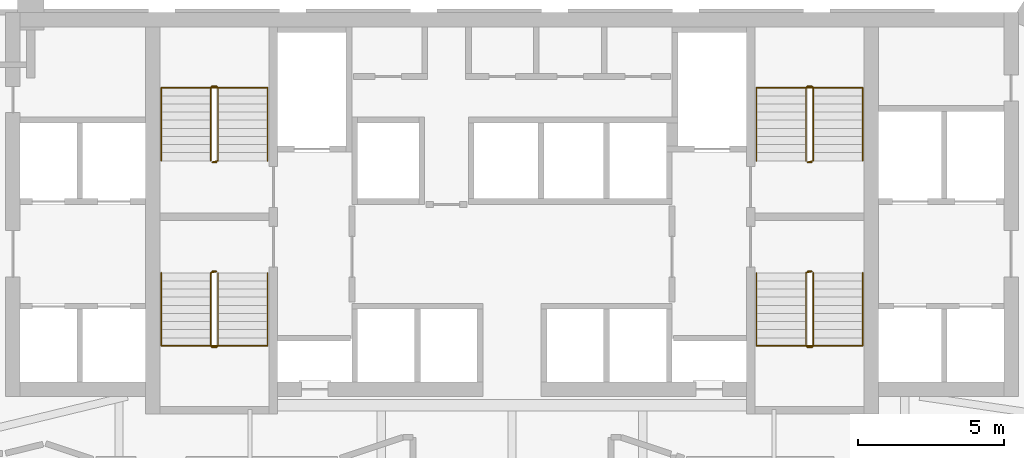
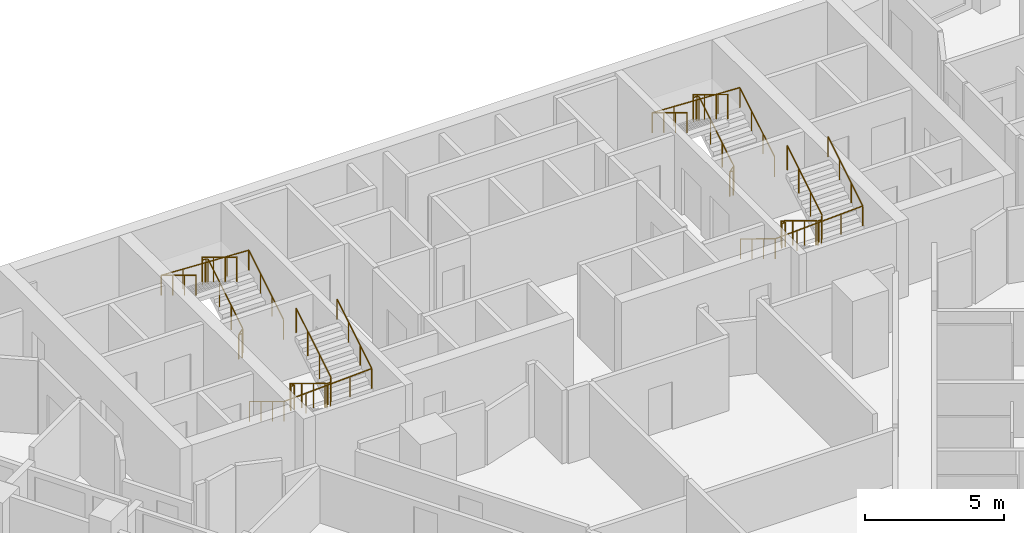
# One storey, part 11 of 11: 8 railings.
"""IFC4 building model written with IfcOpenShell, lengths in metres."""

import ifcopenshell
import ifcopenshell.guid

model = None  # the IFC model being written
_history = None  # IfcOwnerHistory: only IFC2X3 demands one
_inside = {}  # id of a spatial element -> (the spatial element, [elements in it])
_under = {}  # id of a project, library or spatial element -> (it, [spatial elements below it])
_declared = {}  # id of a project -> (the project, [libraries it declares])
_typed = {}  # id of a type object -> (the type object, [elements of that type])
_made_of = {}  # id of a material, layer set ... -> (it, [elements and type objects made of it])


def new_model(schema):
    """Start an empty IFC model of exactly this schema.

    Asked for "IFC4X3", IfcOpenShell would pick the latest addendum, in which some entities
    have other attributes; the version numbers below select the first issue.
    IFC2X3 requires an IfcOwnerHistory on every rooted entity: one is made here for all.
    """
    global model, _history
    if schema == "IFC4X3":
        model = ifcopenshell.file(schema_version=(4, 3, 0, 0))
    else:
        model = ifcopenshell.file(schema=schema)
    _inside.clear()
    _under.clear()
    _declared.clear()
    _typed.clear()
    _made_of.clear()
    _history = None
    if model.schema == "IFC2X3":
        org = make("IfcOrganization", Name="unknown")
        user = make(
            "IfcPersonAndOrganization",
            ThePerson=make("IfcPerson", FamilyName="unknown"),
            TheOrganization=org,
        )
        app = make(
            "IfcApplication",
            ApplicationDeveloper=org,
            Version="unknown",
            ApplicationFullName="unknown",
            ApplicationIdentifier="unknown",
        )
        _history = make(
            "IfcOwnerHistory",
            OwningUser=user,
            OwningApplication=app,
            ChangeAction="ADDED",
            CreationDate=0,
        )
    return model


def make(cls, **values):
    """One entity of the class cls with the attributes given. An attribute that is None is left unset."""
    return model.create_entity(
        cls, **{name: value for name, value in values.items() if value is not None}
    )


def rooted(cls, **values):
    """An entity with a GlobalId (a new one), such as an element, a storey or a relation."""
    return make(cls, GlobalId=ifcopenshell.guid.new(), OwnerHistory=_history, **values)


def si_unit(unit_type, name, prefix=None):
    """IfcSIUnit, for example si_unit("LENGTHUNIT", "METRE", prefix="MILLI")."""
    return make("IfcSIUnit", UnitType=unit_type, Prefix=prefix, Name=name)


def assignment(units):
    """IfcUnitAssignment: the units of a project."""
    return None if units is None else make("IfcUnitAssignment", Units=units)


def point(xyz):
    """IfcCartesianPoint."""
    return None if xyz is None else make("IfcCartesianPoint", Coordinates=xyz)


def direction(xyz):
    """IfcDirection."""
    return None if xyz is None else make("IfcDirection", DirectionRatios=xyz)


def frame(location, z_axis=None, x_axis=None):
    """IfcAxis2Placement3D, a coordinate frame: its origin and axes. An axis left out is left unset."""
    return make(
        "IfcAxis2Placement3D",
        Location=point(location),
        Axis=direction(z_axis),
        RefDirection=direction(x_axis),
    )


def frame_2d(location, x_axis=None):
    """IfcAxis2Placement2D, a coordinate frame in the plane: its origin and x axis."""
    return make(
        "IfcAxis2Placement2D", Location=point(location), RefDirection=direction(x_axis)
    )


def origin():
    """The frame at (0, 0, 0) with its axes left unset."""
    return frame((0.0, 0.0, 0.0))


def origin_2d():
    """The frame at (0, 0) in the plane with its x axis left unset."""
    return frame_2d((0.0, 0.0))


def place(relative_to, where):
    """IfcLocalPlacement: puts the frame where relative to a parent placement (None: the world)."""
    return make(
        "IfcLocalPlacement", PlacementRelTo=relative_to, RelativePlacement=where
    )


def context(
    kind, dimensions, precision=None, world=None, true_north=None, identifier=None
):
    """IfcGeometricRepresentationContext, for example the 3D "Model" context."""
    return make(
        "IfcGeometricRepresentationContext",
        ContextIdentifier=identifier,
        ContextType=kind,
        CoordinateSpaceDimension=dimensions,
        Precision=precision,
        WorldCoordinateSystem=world,
        TrueNorth=true_north,
    )


def subcontext(parent, identifier, kind, view, scale=None):
    """IfcGeometricRepresentationSubContext, for example "Body" below "Model"."""
    return make(
        "IfcGeometricRepresentationSubContext",
        ContextIdentifier=identifier,
        ContextType=kind,
        ParentContext=parent,
        TargetScale=scale,
        TargetView=view,
    )


def project(units=None, contexts=None):
    """IfcProject with its units and contexts."""
    return rooted(
        "IfcProject",
        Name="project",
        RepresentationContexts=contexts,
        UnitsInContext=assignment(units),
    )


def spatial(cls, under=None, at=None, **own):
    """A site, building, storey or space (cls), placed at a placement, below another one or the project."""
    s = rooted(cls, ObjectPlacement=at, **own)
    if under is not None:
        _under.setdefault(under.id(), (under, []))[1].append(s)
    return s


def profile(cls, at=None, kind="AREA", **sizes):
    """A parametric profile (cls). Its sizes go by their IFC names, for example OverallWidth=200.0."""
    return make(cls, ProfileType=kind, Position=at, **sizes)


def circle(**sizes):
    """IfcCircleProfileDef."""
    return profile("IfcCircleProfileDef", **sizes)


def extrude(swept, where, along, depth):
    """IfcExtrudedAreaSolid: the profile swept, set in the frame where, extruded along a direction by depth."""
    return make(
        "IfcExtrudedAreaSolid",
        SweptArea=swept,
        Position=where,
        ExtrudedDirection=direction(along),
        Depth=depth,
    )


def shape(context_of_items, identifier, shape_type, items):
    """IfcShapeRepresentation: the items that make up one representation, for example the "Body"."""
    return make(
        "IfcShapeRepresentation",
        ContextOfItems=context_of_items,
        RepresentationIdentifier=identifier,
        RepresentationType=shape_type,
        Items=items,
    )


def material(Name=None, Category=None):
    """IfcMaterial."""
    return make("IfcMaterial", Name=Name, Category=Category)


def made_of(thing, what):
    """Note that an element or type object is made of a material, layer set ...; save() writes the relation."""
    if what is not None:
        _made_of.setdefault(what.id(), (what, []))[1].append(thing)
    return thing


def type_object(cls, material=None, **own):
    """A type object (cls), such as IfcWallType, which elements share."""
    return made_of(rooted(cls, **own), material)


def element(
    cls,
    number,
    at=None,
    inside=None,
    cuts=None,
    type_object=None,
    material=None,
    context=None,
    identifier="Body",
    shape_type=None,
    held_by="IfcProductDefinitionShape",
    body=None,
    shapes=None,
    **own,
):
    """One element of the class cls, such as IfcWall. Its Tag is "e" and its number.

    at: its placement. inside: the storey or other place that contains it. cuts: it is an
    opening in that element (IfcRelVoidsElement). A single representation is given by context,
    identifier, shape_type and body (its items); several are given by shapes. held_by: the class
    of the entity that holds the representations. save() writes the other relations.
    """
    e = rooted(cls, Tag="e%d" % number, ObjectPlacement=at, **own)
    if body is not None:
        shapes = [shape(context, identifier, shape_type, body)]
    if shapes is not None:
        e.Representation = make(held_by, Representations=shapes)
    if inside is not None:
        _inside.setdefault(inside.id(), (inside, []))[1].append(e)
    if cuts is not None:
        rooted(
            "IfcRelVoidsElement", RelatingBuildingElement=cuts, RelatedOpeningElement=e
        )
    if type_object is not None:
        _typed.setdefault(type_object.id(), (type_object, []))[1].append(e)
    return made_of(e, material)


def aggregate(whole, parts):
    """IfcRelAggregates: a whole, such as a stair, and the parts it consists of."""
    return rooted("IfcRelAggregates", RelatingObject=whole, RelatedObjects=parts)


def save(model, path):
    """Write the relations noted so far, then the file.

    IfcRelAggregates (storeys below a building ...), IfcRelContainedInSpatialStructure (elements
    in a storey), IfcRelDefinesByType, IfcRelAssociatesMaterial and IfcRelDeclares: one each for
    every whole, place, type object, material and project.
    """
    for whole, parts in _under.values():
        aggregate(whole, parts)
    for where, things in _inside.values():
        rooted(
            "IfcRelContainedInSpatialStructure",
            RelatedElements=things,
            RelatingStructure=where,
        )
    for kind, things in _typed.values():
        rooted("IfcRelDefinesByType", RelatedObjects=things, RelatingType=kind)
    for what, things in _made_of.values():
        rooted("IfcRelAssociatesMaterial", RelatedObjects=things, RelatingMaterial=what)
    for by, libraries in _declared.values():
        rooted("IfcRelDeclares", RelatingContext=by, RelatedDefinitions=libraries)
    model.write(path)


model = new_model("IFC4")

# Units and contexts
model_context = context("Model", 3, precision=1e-05, world=origin(), true_north=direction((0.0, 1.0)))
body_context = subcontext(model_context, "Body", "Model", "MODEL_VIEW")
ifc_project = project(units=[si_unit("LENGTHUNIT", "METRE"), si_unit("AREAUNIT", "SQUARE_METRE"), si_unit("VOLUMEUNIT", "CUBIC_METRE"), si_unit("PLANEANGLEUNIT", "RADIAN"), si_unit("MASSUNIT", "GRAM", prefix="KILO")], contexts=[model_context])

# Site, building, storey
site_placement = place(None, origin())
site = spatial("IfcSite", under=ifc_project, at=site_placement, CompositionType="ELEMENT")
building_placement = place(site_placement, origin())
building = spatial("IfcBuilding", under=site, at=building_placement, Name="Calabash Gate Tower", CompositionType="ELEMENT")
storey_placement = place(building_placement, frame((0.0, 0.0, 112.199951171875)))
storey = spatial("IfcBuildingStorey", under=building, at=storey_placement, Name="L25", CompositionType="ELEMENT", Elevation=112.199951171875)

# Railings
ifc_material_1 = material(Name="Black powder-coated steel balusters", Category="steel")
railing_type_1 = type_object("IfcRailingType", Name="Stair guard RL1100", PredefinedType="GUARDRAIL", material=ifc_material_1)
railing_1_placement = place(storey_placement, frame((-10.14990234375, 13.902587890625, 0.0)))
element("IfcRailing", 1, at=railing_1_placement, inside=storey, type_object=railing_type_1, Name="L25 ST1 stair guard 1", PredefinedType="GUARDRAIL", context=body_context, shape_type="SweptSolid", body=[
    extrude(circle(Radius=0.02392578125, at=origin_2d()), frame((0.0, 0.0, 1.076171875), z_axis=(-1.0, 0.0, 0.0), x_axis=(0.0, -1.0, 0.0)), (0.0, 0.0, 1.0), 0.150146484375),
    extrude(circle(Radius=0.02392578125, at=origin_2d()), frame((-0.150146484375, 0.0, 1.076171875), z_axis=(0.748079357382, 0.187248190798, 0.636643848712), x_axis=(-0.242814311512, 0.970072785993, 0.0)), (0.0, 0.0, 1.0), 0.267333984375),
    extrude(circle(Radius=0.02392578125, at=origin_2d()), frame((0.0498046875, 0.050048828125, 1.24609375), z_axis=(0.0, 0.853993254676, 0.52028407718), x_axis=(-1.0, 0.0, 0.0)), (0.0, 0.0, 1.0), 2.940185546875),
    extrude(circle(Radius=0.02392578125, at=origin_2d()), frame((0.0498046875, 2.56103515625, 2.77587890625), z_axis=(-0.705375805398, 0.708833529934, 0.0), x_axis=(-0.708833529934, -0.705375805398, 0.0)), (0.0, 0.0, 1.0), 0.070556640625),
    extrude(circle(Radius=0.02392578125, at=origin_2d()), frame((0.0, 2.611083984375, 2.77587890625), z_axis=(-1.0, 0.0, 0.0), x_axis=(0.0, -1.0, 0.0)), (0.0, 0.0, 1.0), 0.150146484375),
    extrude(circle(Radius=0.02392578125, at=origin_2d()), frame((-0.150146484375, 2.611083984375, 2.77587890625), z_axis=(-0.271562723297, -0.271562723297, 0.923313259209), x_axis=(0.707106781187, -0.707106781187, 0.0)), (0.0, 0.0, 1.0), 0.184326171875),
    extrude(circle(Radius=0.02392578125, at=origin_2d()), frame((-0.2001953125, 2.56103515625, 2.9462890625), z_axis=(0.0, -0.853956361026, 0.520344629514), x_axis=(1.0, 0.0, 0.0)), (0.0, 0.0, 1.0), 2.9404296875),
    extrude(circle(Radius=0.02099609375, at=origin_2d()), origin(), (0.0, 0.0, 1.0), 1.052001953125),
    extrude(circle(Radius=0.02099609375, at=origin_2d()), frame((-0.150146484375, 0.0, 0.0)), (0.0, 0.0, 1.0), 1.052001953125),
    extrude(circle(Radius=0.02099609375, at=origin_2d()), frame((0.0498046875, 0.050048828125, 0.170166015625)), (0.0, 0.0, 1.0), 1.052001953125),
    extrude(circle(Radius=0.02099609375, at=origin_2d()), frame((0.0498046875, 0.886962890625, 0.68017578125)), (0.0, 0.0, 1.0), 1.052001953125),
    extrude(circle(Radius=0.02099609375, at=origin_2d()), frame((0.0498046875, 1.72412109375, 1.18994140625)), (0.0, 0.0, 1.0), 1.052001953125),
    extrude(circle(Radius=0.02099609375, at=origin_2d()), frame((0.0498046875, 2.56103515625, 1.699951171875)), (0.0, 0.0, 1.0), 1.052001953125),
    extrude(circle(Radius=0.02099609375, at=origin_2d()), frame((0.0, 2.611083984375, 1.699951171875)), (0.0, 0.0, 1.0), 1.052001953125),
    extrude(circle(Radius=0.02099609375, at=origin_2d()), frame((-0.150146484375, 2.611083984375, 1.699951171875)), (0.0, 0.0, 1.0), 1.052001953125),
    extrude(circle(Radius=0.02099609375, at=origin_2d()), frame((-0.2001953125, 2.56103515625, 1.8701171875)), (0.0, 0.0, 1.0), 1.052001953125),
    extrude(circle(Radius=0.02099609375, at=origin_2d()), frame((-0.2001953125, 1.72412109375, 2.380126953125)), (0.0, 0.0, 1.0), 1.052001953125),
    extrude(circle(Radius=0.02099609375, at=origin_2d()), frame((-0.2001953125, 0.886962890625, 2.89013671875)), (0.0, 0.0, 1.0), 1.052001953125),
    extrude(circle(Radius=0.02099609375, at=origin_2d()), frame((-0.2001953125, 0.050048828125, 3.400146484375)), (0.0, 0.0, 1.0), 1.052001953125),
])
railing_2_placement = place(storey_placement, frame((-10.300048828125, 10.152587890625, 0.0)))
element("IfcRailing", 2, at=railing_2_placement, inside=storey, type_object=railing_type_1, Name="L25 ST2 stair guard 1", PredefinedType="GUARDRAIL", context=body_context, shape_type="SweptSolid", body=[
    extrude(circle(Radius=0.02392578125, at=origin_2d()), frame((0.0, 0.0, 1.076171875), z_axis=(1.0, 0.0, 0.0), x_axis=(0.0, 1.0, 0.0)), (0.0, 0.0, 1.0), 0.150146484375),
    extrude(circle(Radius=0.02392578125, at=origin_2d()), frame((0.150146484375, 0.0, 1.076171875), z_axis=(-0.748481188565, -0.187120297141, 0.63620901028), x_axis=(0.242535625036, -0.970142500145, 0.0)), (0.0, 0.0, 1.0), 0.267578125),
    extrude(circle(Radius=0.02392578125, at=origin_2d()), frame((-0.050048828125, -0.050048828125, 1.24609375), z_axis=(0.0, -0.853993254676, 0.52028407718), x_axis=(1.0, 0.0, 0.0)), (0.0, 0.0, 1.0), 2.940185546875),
    extrude(circle(Radius=0.02392578125, at=origin_2d()), frame((-0.050048828125, -2.56103515625, 2.77587890625), z_axis=(0.707106781187, -0.707106781187, 0.0), x_axis=(0.707106781187, 0.707106781187, 0.0)), (0.0, 0.0, 1.0), 0.07080078125),
    extrude(circle(Radius=0.02392578125, at=origin_2d()), frame((0.0, -2.611083984375, 2.77587890625), z_axis=(1.0, 0.0, 0.0), x_axis=(0.0, 1.0, 0.0)), (0.0, 0.0, 1.0), 0.150146484375),
    extrude(circle(Radius=0.02392578125, at=origin_2d()), frame((0.150146484375, -2.611083984375, 2.77587890625), z_axis=(0.270335057127, 0.271660228976, 0.923644778517), x_axis=(-0.708833529934, 0.705375805398, 0.0)), (0.0, 0.0, 1.0), 0.184326171875),
    extrude(circle(Radius=0.02392578125, at=origin_2d()), frame((0.199951171875, -2.56103515625, 2.9462890625), z_axis=(0.0, 0.853956361026, 0.520344629514), x_axis=(-1.0, 0.0, 0.0)), (0.0, 0.0, 1.0), 2.9404296875),
    extrude(circle(Radius=0.02099609375, at=origin_2d()), origin(), (0.0, 0.0, 1.0), 1.052001953125),
    extrude(circle(Radius=0.02099609375, at=origin_2d()), frame((0.150146484375, 0.0, 0.0)), (0.0, 0.0, 1.0), 1.052001953125),
    extrude(circle(Radius=0.02099609375, at=origin_2d()), frame((-0.050048828125, -0.050048828125, 0.170166015625)), (0.0, 0.0, 1.0), 1.052001953125),
    extrude(circle(Radius=0.02099609375, at=origin_2d()), frame((-0.050048828125, -0.886962890625, 0.68017578125)), (0.0, 0.0, 1.0), 1.052001953125),
    extrude(circle(Radius=0.02099609375, at=origin_2d()), frame((-0.050048828125, -1.72412109375, 1.18994140625)), (0.0, 0.0, 1.0), 1.052001953125),
    extrude(circle(Radius=0.02099609375, at=origin_2d()), frame((-0.050048828125, -2.56103515625, 1.699951171875)), (0.0, 0.0, 1.0), 1.052001953125),
    extrude(circle(Radius=0.02099609375, at=origin_2d()), frame((0.0, -2.611083984375, 1.699951171875)), (0.0, 0.0, 1.0), 1.052001953125),
    extrude(circle(Radius=0.02099609375, at=origin_2d()), frame((0.150146484375, -2.611083984375, 1.699951171875)), (0.0, 0.0, 1.0), 1.052001953125),
    extrude(circle(Radius=0.02099609375, at=origin_2d()), frame((0.199951171875, -2.56103515625, 1.8701171875)), (0.0, 0.0, 1.0), 1.052001953125),
    extrude(circle(Radius=0.02099609375, at=origin_2d()), frame((0.199951171875, -1.72412109375, 2.380126953125)), (0.0, 0.0, 1.0), 1.052001953125),
    extrude(circle(Radius=0.02099609375, at=origin_2d()), frame((0.199951171875, -0.886962890625, 2.89013671875)), (0.0, 0.0, 1.0), 1.052001953125),
    extrude(circle(Radius=0.02099609375, at=origin_2d()), frame((0.199951171875, -0.050048828125, 3.400146484375)), (0.0, 0.0, 1.0), 1.052001953125),
])
railing_3_placement = place(storey_placement, frame((10.300048828125, 13.902587890625, 0.0)))
element("IfcRailing", 3, at=railing_3_placement, inside=storey, type_object=railing_type_1, Name="L25 ST3 stair guard 1", PredefinedType="GUARDRAIL", context=body_context, shape_type="SweptSolid", body=[
    extrude(circle(Radius=0.02392578125, at=origin_2d()), frame((0.0, 0.0, 1.076171875), z_axis=(-1.0, 0.0, 0.0), x_axis=(0.0, -1.0, 0.0)), (0.0, 0.0, 1.0), 0.150146484375),
    extrude(circle(Radius=0.02392578125, at=origin_2d()), frame((-0.150146484375, 0.0, 1.076171875), z_axis=(0.748481188565, 0.187120297141, 0.63620901028), x_axis=(-0.242535625036, 0.970142500145, 0.0)), (0.0, 0.0, 1.0), 0.267578125),
    extrude(circle(Radius=0.02392578125, at=origin_2d()), frame((0.050048828125, 0.050048828125, 1.24609375), z_axis=(0.0, 0.853993254676, 0.52028407718), x_axis=(-1.0, 0.0, 0.0)), (0.0, 0.0, 1.0), 2.940185546875),
    extrude(circle(Radius=0.02392578125, at=origin_2d()), frame((0.050048828125, 2.56103515625, 2.77587890625), z_axis=(-0.707106781187, 0.707106781187, 0.0), x_axis=(-0.707106781187, -0.707106781187, 0.0)), (0.0, 0.0, 1.0), 0.07080078125),
    extrude(circle(Radius=0.02392578125, at=origin_2d()), frame((0.0, 2.611083984375, 2.77587890625), z_axis=(-1.0, 0.0, 0.0), x_axis=(0.0, -1.0, 0.0)), (0.0, 0.0, 1.0), 0.150146484375),
    extrude(circle(Radius=0.02392578125, at=origin_2d()), frame((-0.150146484375, 2.611083984375, 2.77587890625), z_axis=(-0.270335057127, -0.271660228976, 0.923644778517), x_axis=(0.708833529934, -0.705375805398, 0.0)), (0.0, 0.0, 1.0), 0.184326171875),
    extrude(circle(Radius=0.02392578125, at=origin_2d()), frame((-0.199951171875, 2.56103515625, 2.9462890625), z_axis=(0.0, -0.853956361026, 0.520344629514), x_axis=(1.0, 0.0, 0.0)), (0.0, 0.0, 1.0), 2.9404296875),
    extrude(circle(Radius=0.02099609375, at=origin_2d()), origin(), (0.0, 0.0, 1.0), 1.052001953125),
    extrude(circle(Radius=0.02099609375, at=origin_2d()), frame((-0.150146484375, 0.0, 0.0)), (0.0, 0.0, 1.0), 1.052001953125),
    extrude(circle(Radius=0.02099609375, at=origin_2d()), frame((0.050048828125, 0.050048828125, 0.170166015625)), (0.0, 0.0, 1.0), 1.052001953125),
    extrude(circle(Radius=0.02099609375, at=origin_2d()), frame((0.050048828125, 0.886962890625, 0.68017578125)), (0.0, 0.0, 1.0), 1.052001953125),
    extrude(circle(Radius=0.02099609375, at=origin_2d()), frame((0.050048828125, 1.72412109375, 1.18994140625)), (0.0, 0.0, 1.0), 1.052001953125),
    extrude(circle(Radius=0.02099609375, at=origin_2d()), frame((0.050048828125, 2.56103515625, 1.699951171875)), (0.0, 0.0, 1.0), 1.052001953125),
    extrude(circle(Radius=0.02099609375, at=origin_2d()), frame((0.0, 2.611083984375, 1.699951171875)), (0.0, 0.0, 1.0), 1.052001953125),
    extrude(circle(Radius=0.02099609375, at=origin_2d()), frame((-0.150146484375, 2.611083984375, 1.699951171875)), (0.0, 0.0, 1.0), 1.052001953125),
    extrude(circle(Radius=0.02099609375, at=origin_2d()), frame((-0.199951171875, 2.56103515625, 1.8701171875)), (0.0, 0.0, 1.0), 1.052001953125),
    extrude(circle(Radius=0.02099609375, at=origin_2d()), frame((-0.199951171875, 1.72412109375, 2.380126953125)), (0.0, 0.0, 1.0), 1.052001953125),
    extrude(circle(Radius=0.02099609375, at=origin_2d()), frame((-0.199951171875, 0.886962890625, 2.89013671875)), (0.0, 0.0, 1.0), 1.052001953125),
    extrude(circle(Radius=0.02099609375, at=origin_2d()), frame((-0.199951171875, 0.050048828125, 3.400146484375)), (0.0, 0.0, 1.0), 1.052001953125),
])
railing_4_placement = place(storey_placement, frame((10.14990234375, 10.152587890625, 0.0)))
element("IfcRailing", 4, at=railing_4_placement, inside=storey, type_object=railing_type_1, Name="L25 ST4 stair guard 1", PredefinedType="GUARDRAIL", context=body_context, shape_type="SweptSolid", body=[
    extrude(circle(Radius=0.02392578125, at=origin_2d()), frame((0.0, 0.0, 1.076171875), z_axis=(1.0, 0.0, 0.0), x_axis=(0.0, 1.0, 0.0)), (0.0, 0.0, 1.0), 0.150146484375),
    extrude(circle(Radius=0.02392578125, at=origin_2d()), frame((0.150146484375, 0.0, 1.076171875), z_axis=(-0.748079357382, -0.187248190798, 0.636643848712), x_axis=(0.242814311512, -0.970072785993, 0.0)), (0.0, 0.0, 1.0), 0.267333984375),
    extrude(circle(Radius=0.02392578125, at=origin_2d()), frame((-0.0498046875, -0.050048828125, 1.24609375), z_axis=(0.0, -0.853993254676, 0.52028407718), x_axis=(1.0, 0.0, 0.0)), (0.0, 0.0, 1.0), 2.940185546875),
    extrude(circle(Radius=0.02392578125, at=origin_2d()), frame((-0.0498046875, -2.56103515625, 2.77587890625), z_axis=(0.705375805398, -0.708833529934, 0.0), x_axis=(0.708833529934, 0.705375805398, 0.0)), (0.0, 0.0, 1.0), 0.070556640625),
    extrude(circle(Radius=0.02392578125, at=origin_2d()), frame((0.0, -2.611083984375, 2.77587890625), z_axis=(1.0, 0.0, 0.0), x_axis=(0.0, 1.0, 0.0)), (0.0, 0.0, 1.0), 0.150146484375),
    extrude(circle(Radius=0.02392578125, at=origin_2d()), frame((0.150146484375, -2.611083984375, 2.77587890625), z_axis=(0.271562723297, 0.271562723297, 0.923313259209), x_axis=(-0.707106781187, 0.707106781187, 0.0)), (0.0, 0.0, 1.0), 0.184326171875),
    extrude(circle(Radius=0.02392578125, at=origin_2d()), frame((0.2001953125, -2.56103515625, 2.9462890625), z_axis=(0.0, 0.853956361026, 0.520344629514), x_axis=(-1.0, 0.0, 0.0)), (0.0, 0.0, 1.0), 2.9404296875),
    extrude(circle(Radius=0.02099609375, at=origin_2d()), origin(), (0.0, 0.0, 1.0), 1.052001953125),
    extrude(circle(Radius=0.02099609375, at=origin_2d()), frame((0.150146484375, 0.0, 0.0)), (0.0, 0.0, 1.0), 1.052001953125),
    extrude(circle(Radius=0.02099609375, at=origin_2d()), frame((-0.0498046875, -0.050048828125, 0.170166015625)), (0.0, 0.0, 1.0), 1.052001953125),
    extrude(circle(Radius=0.02099609375, at=origin_2d()), frame((-0.0498046875, -0.886962890625, 0.68017578125)), (0.0, 0.0, 1.0), 1.052001953125),
    extrude(circle(Radius=0.02099609375, at=origin_2d()), frame((-0.0498046875, -1.72412109375, 1.18994140625)), (0.0, 0.0, 1.0), 1.052001953125),
    extrude(circle(Radius=0.02099609375, at=origin_2d()), frame((-0.0498046875, -2.56103515625, 1.699951171875)), (0.0, 0.0, 1.0), 1.052001953125),
    extrude(circle(Radius=0.02099609375, at=origin_2d()), frame((0.0, -2.611083984375, 1.699951171875)), (0.0, 0.0, 1.0), 1.052001953125),
    extrude(circle(Radius=0.02099609375, at=origin_2d()), frame((0.150146484375, -2.611083984375, 1.699951171875)), (0.0, 0.0, 1.0), 1.052001953125),
    extrude(circle(Radius=0.02099609375, at=origin_2d()), frame((0.2001953125, -2.56103515625, 1.8701171875)), (0.0, 0.0, 1.0), 1.052001953125),
    extrude(circle(Radius=0.02099609375, at=origin_2d()), frame((0.2001953125, -1.72412109375, 2.380126953125)), (0.0, 0.0, 1.0), 1.052001953125),
    extrude(circle(Radius=0.02099609375, at=origin_2d()), frame((0.2001953125, -0.886962890625, 2.89013671875)), (0.0, 0.0, 1.0), 1.052001953125),
    extrude(circle(Radius=0.02099609375, at=origin_2d()), frame((0.2001953125, -0.050048828125, 3.400146484375)), (0.0, 0.0, 1.0), 1.052001953125),
])
ifc_material_2 = material(Name="Black powder-coated steel tube 48 mm", Category="steel")
railing_type_2 = type_object("IfcRailingType", Name="Stair handrail RL900", PredefinedType="HANDRAIL", material=ifc_material_2)
railing_5_placement = place(storey_placement, frame((-8.39990234375, 13.95263671875, 0.170166015625)))
element("IfcRailing", 5, at=railing_5_placement, inside=storey, type_object=railing_type_2, Name="L25 ST1 stair handrail 1", PredefinedType="HANDRAIL", context=body_context, shape_type="SweptSolid", body=[
    extrude(circle(Radius=0.02392578125, at=origin_2d()), frame((0.0, 0.0, 0.8759765625), z_axis=(0.0, 0.853993254676, 0.52028407718), x_axis=(-1.0, 0.0, 0.0)), (0.0, 0.0, 1.0), 2.940185546875),
    extrude(circle(Radius=0.02392578125, at=origin_2d()), frame((0.0, 2.510986328125, 2.40576171875), z_axis=(-0.99891510456, 0.0, 0.046568378562), x_axis=(0.0, -1.0, 0.0)), (0.0, 0.0, 1.0), 3.654052734375),
    extrude(circle(Radius=0.02392578125, at=origin_2d()), frame((-3.650146484375, 2.510986328125, 2.57568359375), z_axis=(0.0, -0.853956361026, 0.520344629514), x_axis=(1.0, 0.0, 0.0)), (0.0, 0.0, 1.0), 2.9404296875),
    extrude(circle(Radius=0.02099609375, at=origin_2d()), origin(), (0.0, 0.0, 1.0), 0.851806640625),
    extrude(circle(Radius=0.02099609375, at=origin_2d()), frame((0.0, 0.8369140625, 0.510009765625)), (0.0, 0.0, 1.0), 0.851806640625),
    extrude(circle(Radius=0.02099609375, at=origin_2d()), frame((0.0, 1.674072265625, 1.019775390625)), (0.0, 0.0, 1.0), 0.851806640625),
    extrude(circle(Radius=0.02099609375, at=origin_2d()), frame((0.0, 2.510986328125, 1.52978515625)), (0.0, 0.0, 1.0), 0.851806640625),
    extrude(circle(Radius=0.02099609375, at=origin_2d()), frame((-0.91259765625, 2.510986328125, 1.572265625)), (0.0, 0.0, 1.0), 0.851806640625),
    extrude(circle(Radius=0.02099609375, at=origin_2d()), frame((-1.8251953125, 2.510986328125, 1.61474609375)), (0.0, 0.0, 1.0), 0.851806640625),
    extrude(circle(Radius=0.02099609375, at=origin_2d()), frame((-2.737548828125, 2.510986328125, 1.657470703125)), (0.0, 0.0, 1.0), 0.851806640625),
    extrude(circle(Radius=0.02099609375, at=origin_2d()), frame((-3.650146484375, 2.510986328125, 1.699951171875)), (0.0, 0.0, 1.0), 0.851806640625),
    extrude(circle(Radius=0.02099609375, at=origin_2d()), frame((-3.650146484375, 1.674072265625, 2.2099609375)), (0.0, 0.0, 1.0), 0.851806640625),
    extrude(circle(Radius=0.02099609375, at=origin_2d()), frame((-3.650146484375, 0.8369140625, 2.719970703125)), (0.0, 0.0, 1.0), 0.851806640625),
    extrude(circle(Radius=0.02099609375, at=origin_2d()), frame((-3.650146484375, 0.0, 3.22998046875)), (0.0, 0.0, 1.0), 0.851806640625),
])
railing_6_placement = place(storey_placement, frame((-12.050048828125, 10.1025390625, 0.170166015625)))
element("IfcRailing", 6, at=railing_6_placement, inside=storey, type_object=railing_type_2, Name="L25 ST2 stair handrail 1", PredefinedType="HANDRAIL", context=body_context, shape_type="SweptSolid", body=[
    extrude(circle(Radius=0.02392578125, at=origin_2d()), frame((0.0, 0.0, 0.8759765625), z_axis=(0.0, -0.853993254676, 0.52028407718), x_axis=(1.0, 0.0, 0.0)), (0.0, 0.0, 1.0), 2.940185546875),
    extrude(circle(Radius=0.02392578125, at=origin_2d()), frame((0.0, -2.510986328125, 2.40576171875), z_axis=(0.99891510456, 0.0, 0.046568378562), x_axis=(0.0, 1.0, 0.0)), (0.0, 0.0, 1.0), 3.654052734375),
    extrude(circle(Radius=0.02392578125, at=origin_2d()), frame((3.650146484375, -2.510986328125, 2.57568359375), z_axis=(0.0, 0.853956361026, 0.520344629514), x_axis=(-1.0, 0.0, 0.0)), (0.0, 0.0, 1.0), 2.9404296875),
    extrude(circle(Radius=0.02099609375, at=origin_2d()), origin(), (0.0, 0.0, 1.0), 0.851806640625),
    extrude(circle(Radius=0.02099609375, at=origin_2d()), frame((0.0, -0.8369140625, 0.510009765625)), (0.0, 0.0, 1.0), 0.851806640625),
    extrude(circle(Radius=0.02099609375, at=origin_2d()), frame((0.0, -1.674072265625, 1.019775390625)), (0.0, 0.0, 1.0), 0.851806640625),
    extrude(circle(Radius=0.02099609375, at=origin_2d()), frame((0.0, -2.510986328125, 1.52978515625)), (0.0, 0.0, 1.0), 0.851806640625),
    extrude(circle(Radius=0.02099609375, at=origin_2d()), frame((0.91259765625, -2.510986328125, 1.572265625)), (0.0, 0.0, 1.0), 0.851806640625),
    extrude(circle(Radius=0.02099609375, at=origin_2d()), frame((1.8251953125, -2.510986328125, 1.61474609375)), (0.0, 0.0, 1.0), 0.851806640625),
    extrude(circle(Radius=0.02099609375, at=origin_2d()), frame((2.737548828125, -2.510986328125, 1.657470703125)), (0.0, 0.0, 1.0), 0.851806640625),
    extrude(circle(Radius=0.02099609375, at=origin_2d()), frame((3.650146484375, -2.510986328125, 1.699951171875)), (0.0, 0.0, 1.0), 0.851806640625),
    extrude(circle(Radius=0.02099609375, at=origin_2d()), frame((3.650146484375, -1.674072265625, 2.2099609375)), (0.0, 0.0, 1.0), 0.851806640625),
    extrude(circle(Radius=0.02099609375, at=origin_2d()), frame((3.650146484375, -0.8369140625, 2.719970703125)), (0.0, 0.0, 1.0), 0.851806640625),
    extrude(circle(Radius=0.02099609375, at=origin_2d()), frame((3.650146484375, 0.0, 3.22998046875)), (0.0, 0.0, 1.0), 0.851806640625),
])
railing_7_placement = place(storey_placement, frame((12.050048828125, 13.95263671875, 0.170166015625)))
element("IfcRailing", 7, at=railing_7_placement, inside=storey, type_object=railing_type_2, Name="L25 ST3 stair handrail 1", PredefinedType="HANDRAIL", context=body_context, shape_type="SweptSolid", body=[
    extrude(circle(Radius=0.02392578125, at=origin_2d()), frame((0.0, 0.0, 0.8759765625), z_axis=(0.0, 0.853993254676, 0.52028407718), x_axis=(-1.0, 0.0, 0.0)), (0.0, 0.0, 1.0), 2.940185546875),
    extrude(circle(Radius=0.02392578125, at=origin_2d()), frame((0.0, 2.510986328125, 2.40576171875), z_axis=(-0.99891510456, 0.0, 0.046568378562), x_axis=(0.0, -1.0, 0.0)), (0.0, 0.0, 1.0), 3.654052734375),
    extrude(circle(Radius=0.02392578125, at=origin_2d()), frame((-3.650146484375, 2.510986328125, 2.57568359375), z_axis=(0.0, -0.853956361026, 0.520344629514), x_axis=(1.0, 0.0, 0.0)), (0.0, 0.0, 1.0), 2.9404296875),
    extrude(circle(Radius=0.02099609375, at=origin_2d()), origin(), (0.0, 0.0, 1.0), 0.851806640625),
    extrude(circle(Radius=0.02099609375, at=origin_2d()), frame((0.0, 0.8369140625, 0.510009765625)), (0.0, 0.0, 1.0), 0.851806640625),
    extrude(circle(Radius=0.02099609375, at=origin_2d()), frame((0.0, 1.674072265625, 1.019775390625)), (0.0, 0.0, 1.0), 0.851806640625),
    extrude(circle(Radius=0.02099609375, at=origin_2d()), frame((0.0, 2.510986328125, 1.52978515625)), (0.0, 0.0, 1.0), 0.851806640625),
    extrude(circle(Radius=0.02099609375, at=origin_2d()), frame((-0.91259765625, 2.510986328125, 1.572265625)), (0.0, 0.0, 1.0), 0.851806640625),
    extrude(circle(Radius=0.02099609375, at=origin_2d()), frame((-1.8251953125, 2.510986328125, 1.61474609375)), (0.0, 0.0, 1.0), 0.851806640625),
    extrude(circle(Radius=0.02099609375, at=origin_2d()), frame((-2.737548828125, 2.510986328125, 1.657470703125)), (0.0, 0.0, 1.0), 0.851806640625),
    extrude(circle(Radius=0.02099609375, at=origin_2d()), frame((-3.650146484375, 2.510986328125, 1.699951171875)), (0.0, 0.0, 1.0), 0.851806640625),
    extrude(circle(Radius=0.02099609375, at=origin_2d()), frame((-3.650146484375, 1.674072265625, 2.2099609375)), (0.0, 0.0, 1.0), 0.851806640625),
    extrude(circle(Radius=0.02099609375, at=origin_2d()), frame((-3.650146484375, 0.8369140625, 2.719970703125)), (0.0, 0.0, 1.0), 0.851806640625),
    extrude(circle(Radius=0.02099609375, at=origin_2d()), frame((-3.650146484375, 0.0, 3.22998046875)), (0.0, 0.0, 1.0), 0.851806640625),
])
railing_8_placement = place(storey_placement, frame((8.39990234375, 10.1025390625, 0.170166015625)))
element("IfcRailing", 8, at=railing_8_placement, inside=storey, type_object=railing_type_2, Name="L25 ST4 stair handrail 1", PredefinedType="HANDRAIL", context=body_context, shape_type="SweptSolid", body=[
    extrude(circle(Radius=0.02392578125, at=origin_2d()), frame((0.0, 0.0, 0.8759765625), z_axis=(0.0, -0.853993254676, 0.52028407718), x_axis=(1.0, 0.0, 0.0)), (0.0, 0.0, 1.0), 2.940185546875),
    extrude(circle(Radius=0.02392578125, at=origin_2d()), frame((0.0, -2.510986328125, 2.40576171875), z_axis=(0.99891510456, 0.0, 0.046568378562), x_axis=(0.0, 1.0, 0.0)), (0.0, 0.0, 1.0), 3.654052734375),
    extrude(circle(Radius=0.02392578125, at=origin_2d()), frame((3.650146484375, -2.510986328125, 2.57568359375), z_axis=(0.0, 0.853956361026, 0.520344629514), x_axis=(-1.0, 0.0, 0.0)), (0.0, 0.0, 1.0), 2.9404296875),
    extrude(circle(Radius=0.02099609375, at=origin_2d()), origin(), (0.0, 0.0, 1.0), 0.851806640625),
    extrude(circle(Radius=0.02099609375, at=origin_2d()), frame((0.0, -0.8369140625, 0.510009765625)), (0.0, 0.0, 1.0), 0.851806640625),
    extrude(circle(Radius=0.02099609375, at=origin_2d()), frame((0.0, -1.674072265625, 1.019775390625)), (0.0, 0.0, 1.0), 0.851806640625),
    extrude(circle(Radius=0.02099609375, at=origin_2d()), frame((0.0, -2.510986328125, 1.52978515625)), (0.0, 0.0, 1.0), 0.851806640625),
    extrude(circle(Radius=0.02099609375, at=origin_2d()), frame((0.91259765625, -2.510986328125, 1.572265625)), (0.0, 0.0, 1.0), 0.851806640625),
    extrude(circle(Radius=0.02099609375, at=origin_2d()), frame((1.8251953125, -2.510986328125, 1.61474609375)), (0.0, 0.0, 1.0), 0.851806640625),
    extrude(circle(Radius=0.02099609375, at=origin_2d()), frame((2.737548828125, -2.510986328125, 1.657470703125)), (0.0, 0.0, 1.0), 0.851806640625),
    extrude(circle(Radius=0.02099609375, at=origin_2d()), frame((3.650146484375, -2.510986328125, 1.699951171875)), (0.0, 0.0, 1.0), 0.851806640625),
    extrude(circle(Radius=0.02099609375, at=origin_2d()), frame((3.650146484375, -1.674072265625, 2.2099609375)), (0.0, 0.0, 1.0), 0.851806640625),
    extrude(circle(Radius=0.02099609375, at=origin_2d()), frame((3.650146484375, -0.8369140625, 2.719970703125)), (0.0, 0.0, 1.0), 0.851806640625),
    extrude(circle(Radius=0.02099609375, at=origin_2d()), frame((3.650146484375, 0.0, 3.22998046875)), (0.0, 0.0, 1.0), 0.851806640625),
])

save(model, "model.ifc")
